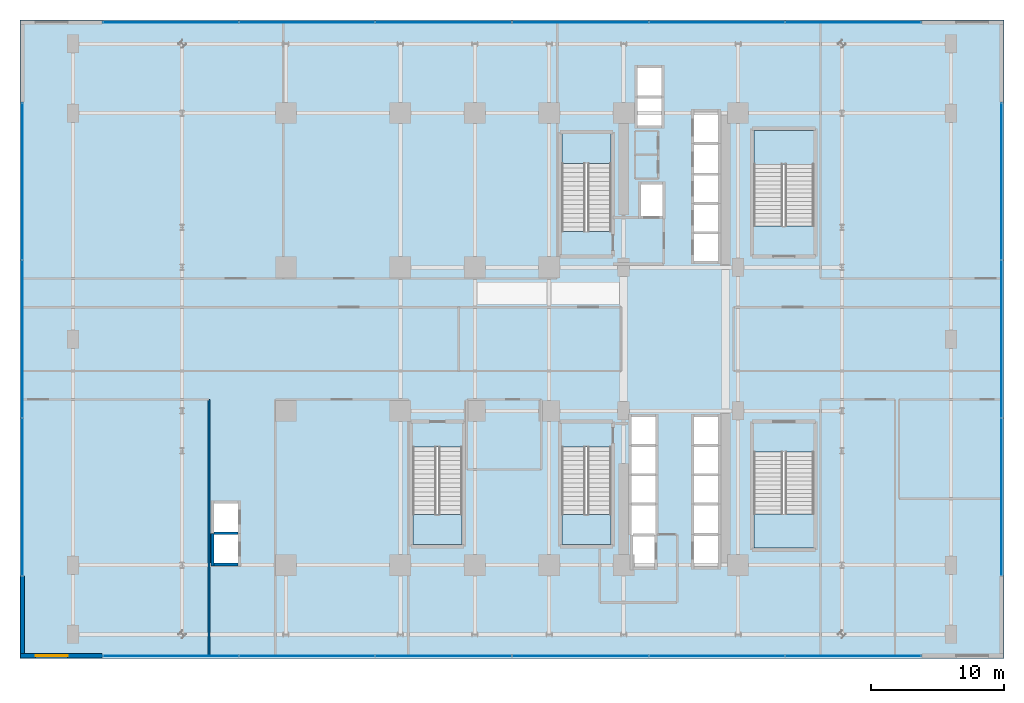
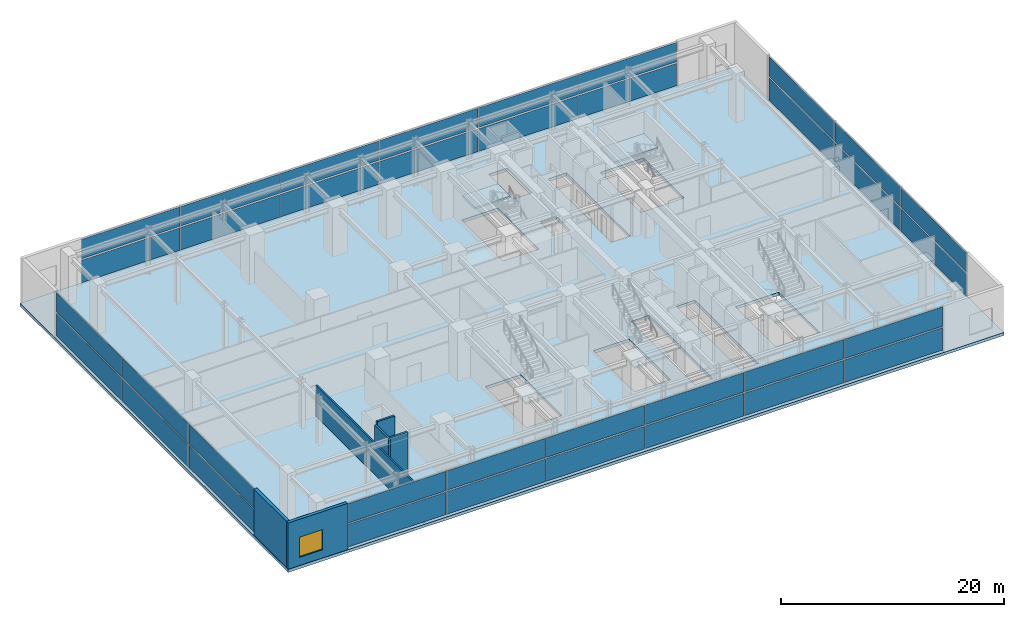
# One storey, part 26 of 32: 36 plates, 6 slabs, 6 walls, 1 window, 1 opening, 9 elements without a shape of their own.
"""IFC4 building model written with IfcOpenShell, lengths in metres."""

from ifc_helpers import new_model, si_unit, direction, frame, frame_2d, origin, origin_2d, place, context, subcontext, project, spatial, polyline, rectangle, outline, extrude, source, transform, mapped, material, layer, layer_set, type_object, element, fill, aggregate, save


model = new_model("IFC4")

# Units and contexts
model_context = context("Model", 3, precision=1e-05, world=origin(), true_north=direction((0.0, 1.0)))
body_context = subcontext(model_context, "Body", "Model", "MODEL_VIEW")
ifc_project = project(units=[si_unit("LENGTHUNIT", "METRE"), si_unit("AREAUNIT", "SQUARE_METRE"), si_unit("VOLUMEUNIT", "CUBIC_METRE"), si_unit("PLANEANGLEUNIT", "RADIAN"), si_unit("MASSUNIT", "GRAM", prefix="KILO")], contexts=[model_context])

# Site, building, storey
site_placement = place(None, origin())
site = spatial("IfcSite", under=ifc_project, at=site_placement, CompositionType="ELEMENT")
building_placement = place(site_placement, origin())
building = spatial("IfcBuilding", under=site, at=building_placement, Name="Nahalor Promenade Grand Hotel", CompositionType="ELEMENT")
storey_placement = place(building_placement, frame((0.0, 0.0, 10.800048828125)))
storey = spatial("IfcBuildingStorey", under=building, at=storey_placement, Name="L02", CompositionType="ELEMENT", Elevation=10.800048828125)

# Stair, slab
ifc_material_1 = material(Name="Concrete B-50 (C40/50)", Category="concrete")
stair_type_1 = type_object("IfcStairType", Name="Stair-ST1", PredefinedType="HALF_TURN_STAIR", material=ifc_material_1)
stair_1_placement = place(storey_placement, origin())
stair_1 = element("IfcStair", 1, at=stair_1_placement, inside=storey, type_object=stair_type_1, Name="L02 ST1", PredefinedType="HALF_TURN_STAIR")
ifc_layer_1 = layer(ifc_material_1, 0.199951171875)
ifc_layer_set_1 = layer_set([ifc_layer_1], Name="Concrete B-50 (C40/50)")
slab_type_1 = type_object("IfcSlabType", Name="Landing-ST1", PredefinedType="LANDING", material=ifc_layer_set_1)
slab_1_placement = place(storey_placement, frame((0.0, 0.0, 2.5)))
slab_1 = element("IfcSlab", 2, at=slab_1_placement, type_object=slab_type_1, Name="ST1 landing 1", PredefinedType="LANDING", context=body_context, shape_type="SweptSolid", body=[
    extrude(outline(polyline([(7.449951171875, 13.199951171875), (7.449951171875, 15.449951171875), (3.75, 15.449951171875), (3.75, 13.199951171875), (7.449951171875, 13.199951171875)])), origin(), (0.0, 0.0, 1.0), 0.199951171875),
])
aggregate(stair_1, [slab_1])

stair_type_2 = type_object("IfcStairType", Name="Stair-ST2", PredefinedType="HALF_TURN_STAIR", material=ifc_material_1)
stair_2_placement = place(storey_placement, origin())
stair_2 = element("IfcStair", 3, at=stair_2_placement, inside=storey, type_object=stair_type_2, Name="L02 ST2", PredefinedType="HALF_TURN_STAIR")
ifc_layer_2 = layer(ifc_material_1, 0.2099609375)
ifc_layer_set_2 = layer_set([ifc_layer_2], Name="Concrete B-50 (C40/50)")
slab_type_2 = type_object("IfcSlabType", Name="Landing-ST2", PredefinedType="LANDING", material=ifc_layer_set_2)
slab_2_placement = place(storey_placement, frame((0.0, 0.0, 2.489990234375)))
slab_2 = element("IfcSlab", 4, at=slab_2_placement, type_object=slab_type_2, Name="ST2 landing 1", PredefinedType="LANDING", context=body_context, shape_type="SweptSolid", body=[
    extrude(outline(polyline([(3.75, -13.199951171875), (3.75, -15.449951171875), (7.449951171875, -15.449951171875), (7.449951171875, -13.199951171875), (3.75, -13.199951171875)])), origin(), (0.0, 0.0, 1.0), 0.2099609375),
])
aggregate(stair_2, [slab_2])

stair_type_3 = type_object("IfcStairType", Name="Stair-ST3", PredefinedType="HALF_TURN_STAIR", material=ifc_material_1)
stair_3_placement = place(storey_placement, origin())
stair_3 = element("IfcStair", 5, at=stair_3_placement, inside=storey, type_object=stair_type_3, Name="L02 ST3", PredefinedType="HALF_TURN_STAIR")
ifc_layer_3 = layer(ifc_material_1, 0.219970703125)
ifc_layer_set_3 = layer_set([ifc_layer_3], Name="Concrete B-50 (C40/50)")
slab_type_3 = type_object("IfcSlabType", Name="Landing-ST3", PredefinedType="LANDING", material=ifc_layer_set_3)
slab_3_placement = place(storey_placement, frame((0.0, 0.0, 2.47998046875)))
slab_3 = element("IfcSlab", 6, at=slab_3_placement, type_object=slab_type_3, Name="ST3 landing 1", PredefinedType="LANDING", context=body_context, shape_type="SweptSolid", body=[
    extrude(outline(polyline([(-7.449951171875, -13.199951171875), (-7.449951171875, -15.449951171875), (-3.75, -15.449951171875), (-3.75, -13.199951171875), (-7.449951171875, -13.199951171875)])), origin(), (0.0, 0.0, 1.0), 0.219970703125),
])
aggregate(stair_3, [slab_3])

stair_type_4 = type_object("IfcStairType", Name="Stair-ST4", PredefinedType="HALF_TURN_STAIR", material=ifc_material_1)
stair_4_placement = place(storey_placement, origin())
stair_4 = element("IfcStair", 7, at=stair_4_placement, inside=storey, type_object=stair_type_4, Name="L02 ST4", PredefinedType="HALF_TURN_STAIR")
ifc_layer_4 = layer(ifc_material_1, 0.239990234375)
ifc_layer_set_4 = layer_set([ifc_layer_4], Name="Concrete B-50 (C40/50)")
slab_type_4 = type_object("IfcSlabType", Name="Landing-ST4", PredefinedType="LANDING", material=ifc_layer_set_4)
slab_4_placement = place(storey_placement, frame((0.0, 0.0, 2.4599609375)))
slab_4 = element("IfcSlab", 8, at=slab_4_placement, type_object=slab_type_4, Name="ST4 landing 1", PredefinedType="LANDING", context=body_context, shape_type="SweptSolid", body=[
    extrude(outline(polyline([(22.699951171875, 13.14990234375), (22.699951171875, 15.699951171875), (18.199951171875, 15.699951171875), (18.199951171875, 13.14990234375), (22.699951171875, 13.14990234375)])), origin(), (0.0, 0.0, 1.0), 0.239990234375),
])
aggregate(stair_4, [slab_4])

stair_type_5 = type_object("IfcStairType", Name="Stair-ST5", PredefinedType="HALF_TURN_STAIR", material=ifc_material_1)
stair_5_placement = place(storey_placement, origin())
stair_5 = element("IfcStair", 9, at=stair_5_placement, inside=storey, type_object=stair_type_5, Name="L02 ST5", PredefinedType="HALF_TURN_STAIR")
ifc_layer_5 = layer(ifc_material_1, 0.25)
ifc_layer_set_5 = layer_set([ifc_layer_5], Name="Concrete B-50 (C40/50)")
slab_type_5 = type_object("IfcSlabType", Name="Landing-ST5", PredefinedType="LANDING", material=ifc_layer_set_5)
slab_5_placement = place(storey_placement, frame((0.0, 0.0, 2.449951171875)))
slab_5 = element("IfcSlab", 10, at=slab_5_placement, type_object=slab_type_5, Name="ST5 landing 1", PredefinedType="LANDING", context=body_context, shape_type="SweptSolid", body=[
    extrude(outline(polyline([(18.199951171875, -13.14990234375), (18.199951171875, -15.699951171875), (22.699951171875, -15.699951171875), (22.699951171875, -13.14990234375), (18.199951171875, -13.14990234375)])), origin(), (0.0, 0.0, 1.0), 0.25),
])
aggregate(stair_5, [slab_5])

# Slab
ifc_layer_6 = layer(ifc_material_1, 0.320068359375)
ifc_layer_set_6 = layer_set([ifc_layer_6], Name="Concrete B-50 (C40/50)")
slab_type_6 = type_object("IfcSlabType", Name="Slab-Podium-320", PredefinedType="FLOOR", material=ifc_layer_set_6)
slab_6_placement = place(storey_placement, frame((0.0, 0.0, -0.320068359375)))
element("IfcSlab", 11, at=slab_6_placement, inside=storey, type_object=slab_type_6, Name="L02 Suspended Structural Floor Slab", PredefinedType="FLOOR", context=body_context, shape_type="SweptSolid", body=[
    extrude(outline(polyline([(-37.0, -24.0), (37.0, -24.0), (37.0, 24.0), (-37.0, 24.0), (-37.0, -24.0)]), holes=[polyline([(3.75, 8.10009765625), (7.449951171875, 8.10009765625), (7.449951171875, 15.449951171875), (3.75, 15.449951171875), (3.75, 8.10009765625)]), polyline([(3.75, -15.449951171875), (7.449951171875, -15.449951171875), (7.449951171875, -8.10009765625), (3.75, -8.10009765625), (3.75, -15.449951171875)]), polyline([(-7.449951171875, -15.449951171875), (-3.75, -15.449951171875), (-3.75, -8.10009765625), (-7.449951171875, -8.10009765625), (-7.449951171875, -15.449951171875)]), polyline([(18.199951171875, 8.5), (22.699951171875, 8.5), (22.699951171875, 15.699951171875), (18.199951171875, 15.699951171875), (18.199951171875, 8.5)]), polyline([(18.199951171875, -15.699951171875), (22.699951171875, -15.699951171875), (22.699951171875, -8.5), (18.199951171875, -8.5), (18.199951171875, -15.699951171875)]), polyline([(13.659912109375, 5.81005859375), (15.5400390625, 5.81005859375), (15.5400390625, 17.139892578125), (13.659912109375, 17.139892578125), (13.659912109375, 5.81005859375)]), polyline([(13.659912109375, -17.139892578125), (15.5400390625, -17.139892578125), (15.5400390625, -5.81005859375), (13.659912109375, -5.81005859375), (13.659912109375, -17.139892578125)]), polyline([(8.9599609375, -17.18994140625), (10.840087890625, -17.18994140625), (10.840087890625, -5.81005859375), (8.9599609375, -5.81005859375), (8.9599609375, -17.18994140625)]), polyline([(9.409912109375, 16.010009765625), (11.2900390625, 16.010009765625), (11.2900390625, 20.43994140625), (9.409912109375, 20.43994140625), (9.409912109375, 16.010009765625)]), polyline([(9.659912109375, 9.2099609375), (11.340087890625, 9.2099609375), (11.340087890625, 11.68994140625), (9.659912109375, 11.68994140625), (9.659912109375, 9.2099609375)]), polyline([(-22.43994140625, -16.889892578125), (-20.56005859375, -16.889892578125), (-20.56005859375, -14.7099609375), (-22.43994140625, -14.7099609375), (-22.43994140625, -16.889892578125)]), polyline([(-22.43994140625, -14.489990234375), (-20.56005859375, -14.489990234375), (-20.56005859375, -12.31005859375), (-22.43994140625, -12.31005859375), (-22.43994140625, -14.489990234375)])]), origin(), (0.0, 0.0, 1.0), 0.320068359375),
])

# Curtain wall, plates
ifc_material_2 = material(Name="Anodised Bronze Aluminium EN AW-6063 T6", Category="aluminium")
curtain_wall_type = type_object("IfcCurtainWallType", Name="CW1 Waterfront Podium Bronze Arcade Curtain Wall", PredefinedType="USERDEFINED", material=ifc_material_2)
curtain_wall_1_placement = place(storey_placement, origin())
curtain_wall_1 = element("IfcCurtainWall", 12, at=curtain_wall_1_placement, inside=storey, type_object=curtain_wall_type, Name="L02 Curtain Wall CW-L02-W", ObjectType="UNITISED_CURTAIN_WALL", PredefinedType="USERDEFINED")
ifc_material_3 = material(Name="Low-E Laminated Solar Glass", Category="glass")
ifc_layer_7 = layer(ifc_material_3, 0.031982421875)
ifc_layer_set_7 = layer_set([ifc_layer_7], Name="Low-E Laminated Solar Glass")
plate_type = type_object("IfcPlateType", Name="CWP1 Podium Solar Acoustic IGU 32mm", PredefinedType="CURTAIN_PANEL", material=ifc_layer_set_7)
shared_shape_1 = source(origin(), body_context, "Body", "SweptSolid", [
    extrude(rectangle(XDim=11.760009765625, YDim=0.031982421875, at=origin_2d()), origin(), (0.0, 0.0, 1.0), 2.4599609375),
])
plate_1_placement = place(storey_placement, frame((-36.820068359375, -11.860107421875, 0.159912109375), z_axis=(0.0, 0.0, 1.0), x_axis=(0.0, 1.0, 0.0)))
plate_1 = element("IfcPlate", 13, at=plate_1_placement, type_object=plate_type, Name="CW-L02-W Glazing Panel 0-0", PredefinedType="CURTAIN_PANEL", context=body_context, shape_type="MappedRepresentation", body=[
    mapped(shared_shape_1, transform((0.0, 0.0, 0.0), scale=1.0)),
])
plate_2_placement = place(storey_placement, frame((-36.820068359375, 11.860107421875, 0.159912109375), z_axis=(0.0, 0.0, 1.0), x_axis=(0.0, 1.0, 0.0)))
plate_2 = element("IfcPlate", 14, at=plate_2_placement, type_object=plate_type, Name="CW-L02-W Glazing Panel 2-0", PredefinedType="CURTAIN_PANEL", context=body_context, shape_type="MappedRepresentation", body=[
    mapped(shared_shape_1, transform((0.0, 0.0, 0.0), scale=1.0)),
])

curtain_wall_2_placement = place(storey_placement, origin())
curtain_wall_2 = element("IfcCurtainWall", 15, at=curtain_wall_2_placement, inside=storey, type_object=curtain_wall_type, Name="L02 Curtain Wall CW-L02-E", ObjectType="UNITISED_CURTAIN_WALL", PredefinedType="USERDEFINED")
plate_3_placement = place(storey_placement, frame((36.820068359375, -11.860107421875, 0.159912109375), z_axis=(0.0, 0.0, 1.0), x_axis=(0.0, 1.0, 0.0)))
plate_3 = element("IfcPlate", 16, at=plate_3_placement, type_object=plate_type, Name="CW-L02-E Glazing Panel 0-0", PredefinedType="CURTAIN_PANEL", context=body_context, shape_type="MappedRepresentation", body=[
    mapped(shared_shape_1, transform((0.0, 0.0, 0.0), scale=1.0)),
])
plate_4_placement = place(storey_placement, frame((36.820068359375, 11.860107421875, 0.159912109375), z_axis=(0.0, 0.0, 1.0), x_axis=(0.0, 1.0, 0.0)))
plate_4 = element("IfcPlate", 17, at=plate_4_placement, type_object=plate_type, Name="CW-L02-E Glazing Panel 2-0", PredefinedType="CURTAIN_PANEL", context=body_context, shape_type="MappedRepresentation", body=[
    mapped(shared_shape_1, transform((0.0, 0.0, 0.0), scale=1.0)),
])

# Plate
shared_shape_2 = source(origin(), body_context, "Body", "SweptSolid", [
    extrude(rectangle(XDim=11.800048828125, YDim=0.031982421875, at=origin_2d()), origin(), (0.0, 0.0, 1.0), 2.4599609375),
])
plate_5_placement = place(storey_placement, frame((-36.820068359375, 0.0, 0.159912109375), z_axis=(0.0, 0.0, 1.0), x_axis=(0.0, 1.0, 0.0)))
plate_5 = element("IfcPlate", 18, at=plate_5_placement, type_object=plate_type, Name="CW-L02-W Glazing Panel 1-0", PredefinedType="CURTAIN_PANEL", context=body_context, shape_type="MappedRepresentation", body=[
    mapped(shared_shape_2, transform((0.0, 0.0, 0.0), scale=1.0)),
])

plate_6_placement = place(storey_placement, frame((36.820068359375, 0.0, 0.159912109375), z_axis=(0.0, 0.0, 1.0), x_axis=(0.0, 1.0, 0.0)))
plate_6 = element("IfcPlate", 19, at=plate_6_placement, type_object=plate_type, Name="CW-L02-E Glazing Panel 1-0", PredefinedType="CURTAIN_PANEL", context=body_context, shape_type="MappedRepresentation", body=[
    mapped(shared_shape_2, transform((0.0, 0.0, 0.0), scale=1.0)),
])

# Curtain wall, plates
curtain_wall_3_placement = place(storey_placement, origin())
curtain_wall_3 = element("IfcCurtainWall", 20, at=curtain_wall_3_placement, inside=storey, type_object=curtain_wall_type, Name="L02 Curtain Wall CW-L02-S", ObjectType="UNITISED_CURTAIN_WALL", PredefinedType="USERDEFINED")
shared_shape_3 = source(origin(), body_context, "Body", "SweptSolid", [
    extrude(rectangle(XDim=10.1533203125, YDim=0.031982421875, at=origin_2d()), origin(), (0.0, 0.0, 1.0), 2.4599609375),
])
plate_7_placement = place(storey_placement, frame((-25.663330078125, -23.820068359375, 0.159912109375), z_axis=(0.0, 0.0, 1.0), x_axis=(1.0, 0.0, 0.0)))
plate_7 = element("IfcPlate", 21, at=plate_7_placement, type_object=plate_type, Name="CW-L02-S Glazing Panel 0-0", PredefinedType="CURTAIN_PANEL", context=body_context, shape_type="MappedRepresentation", body=[
    mapped(shared_shape_3, transform((0.0, 0.0, 0.0), scale=1.0)),
])
plate_8_placement = place(storey_placement, frame((25.663330078125, -23.820068359375, 0.159912109375), z_axis=(0.0, 0.0, 1.0), x_axis=(1.0, 0.0, 0.0)))
plate_8 = element("IfcPlate", 22, at=plate_8_placement, type_object=plate_type, Name="CW-L02-S Glazing Panel 5-0", PredefinedType="CURTAIN_PANEL", context=body_context, shape_type="MappedRepresentation", body=[
    mapped(shared_shape_3, transform((0.0, 0.0, 0.0), scale=1.0)),
])

curtain_wall_4_placement = place(storey_placement, origin())
curtain_wall_4 = element("IfcCurtainWall", 23, at=curtain_wall_4_placement, inside=storey, type_object=curtain_wall_type, Name="L02 Curtain Wall CW-L02-N", ObjectType="UNITISED_CURTAIN_WALL", PredefinedType="USERDEFINED")
plate_9_placement = place(storey_placement, frame((-25.663330078125, 23.820068359375, 0.159912109375), z_axis=(0.0, 0.0, 1.0), x_axis=(1.0, 0.0, 0.0)))
plate_9 = element("IfcPlate", 24, at=plate_9_placement, type_object=plate_type, Name="CW-L02-N Glazing Panel 0-0", PredefinedType="CURTAIN_PANEL", context=body_context, shape_type="MappedRepresentation", body=[
    mapped(shared_shape_3, transform((0.0, 0.0, 0.0), scale=1.0)),
])
plate_10_placement = place(storey_placement, frame((25.663330078125, 23.820068359375, 0.159912109375), z_axis=(0.0, 0.0, 1.0), x_axis=(1.0, 0.0, 0.0)))
plate_10 = element("IfcPlate", 25, at=plate_10_placement, type_object=plate_type, Name="CW-L02-N Glazing Panel 5-0", PredefinedType="CURTAIN_PANEL", context=body_context, shape_type="MappedRepresentation", body=[
    mapped(shared_shape_3, transform((0.0, 0.0, 0.0), scale=1.0)),
])

# Plate
shared_shape_4 = source(origin(), body_context, "Body", "SweptSolid", [
    extrude(rectangle(XDim=10.1533203125, YDim=0.031982421875, at=origin_2d()), origin(), (0.0, 0.0, 1.0), 2.1201171875),
])
plate_11_placement = place(storey_placement, frame((-25.663330078125, -23.820068359375, 2.77978515625), z_axis=(0.0, 0.0, 1.0), x_axis=(1.0, 0.0, 0.0)))
plate_11 = element("IfcPlate", 26, at=plate_11_placement, type_object=plate_type, Name="CW-L02-S Glazing Panel 0-1", PredefinedType="CURTAIN_PANEL", context=body_context, shape_type="MappedRepresentation", body=[
    mapped(shared_shape_4, transform((0.0, 0.0, 0.0), scale=1.0)),
])

plate_12_placement = place(storey_placement, frame((25.663330078125, -23.820068359375, 2.77978515625), z_axis=(0.0, 0.0, 1.0), x_axis=(1.0, 0.0, 0.0)))
plate_12 = element("IfcPlate", 27, at=plate_12_placement, type_object=plate_type, Name="CW-L02-S Glazing Panel 5-1", PredefinedType="CURTAIN_PANEL", context=body_context, shape_type="MappedRepresentation", body=[
    mapped(shared_shape_4, transform((0.0, 0.0, 0.0), scale=1.0)),
])

plate_13_placement = place(storey_placement, frame((-25.663330078125, 23.820068359375, 2.77978515625), z_axis=(0.0, 0.0, 1.0), x_axis=(1.0, 0.0, 0.0)))
plate_13 = element("IfcPlate", 28, at=plate_13_placement, type_object=plate_type, Name="CW-L02-N Glazing Panel 0-1", PredefinedType="CURTAIN_PANEL", context=body_context, shape_type="MappedRepresentation", body=[
    mapped(shared_shape_4, transform((0.0, 0.0, 0.0), scale=1.0)),
])

plate_14_placement = place(storey_placement, frame((25.663330078125, 23.820068359375, 2.77978515625), z_axis=(0.0, 0.0, 1.0), x_axis=(1.0, 0.0, 0.0)))
plate_14 = element("IfcPlate", 29, at=plate_14_placement, type_object=plate_type, Name="CW-L02-N Glazing Panel 5-1", PredefinedType="CURTAIN_PANEL", context=body_context, shape_type="MappedRepresentation", body=[
    mapped(shared_shape_4, transform((0.0, 0.0, 0.0), scale=1.0)),
])

shared_shape_5 = source(origin(), body_context, "Body", "SweptSolid", [
    extrude(rectangle(XDim=10.193359375, YDim=0.031982421875, at=origin_2d()), origin(), (0.0, 0.0, 1.0), 2.4599609375),
])
plate_15_placement = place(storey_placement, frame((-15.409912109375, -23.820068359375, 0.159912109375), z_axis=(0.0, 0.0, 1.0), x_axis=(1.0, 0.0, 0.0)))
plate_15 = element("IfcPlate", 30, at=plate_15_placement, type_object=plate_type, Name="CW-L02-S Glazing Panel 1-0", PredefinedType="CURTAIN_PANEL", context=body_context, shape_type="MappedRepresentation", body=[
    mapped(shared_shape_5, transform((0.0, 0.0, 0.0), scale=1.0)),
])

plate_16_placement = place(storey_placement, frame((-5.13671875, -23.820068359375, 0.159912109375), z_axis=(0.0, 0.0, 1.0), x_axis=(1.0, 0.0, 0.0)))
plate_16 = element("IfcPlate", 31, at=plate_16_placement, type_object=plate_type, Name="CW-L02-S Glazing Panel 2-0", PredefinedType="CURTAIN_PANEL", context=body_context, shape_type="MappedRepresentation", body=[
    mapped(shared_shape_5, transform((0.0, 0.0, 0.0), scale=1.0)),
])

plate_17_placement = place(storey_placement, frame((5.13671875, -23.820068359375, 0.159912109375), z_axis=(0.0, 0.0, 1.0), x_axis=(1.0, 0.0, 0.0)))
plate_17 = element("IfcPlate", 32, at=plate_17_placement, type_object=plate_type, Name="CW-L02-S Glazing Panel 3-0", PredefinedType="CURTAIN_PANEL", context=body_context, shape_type="MappedRepresentation", body=[
    mapped(shared_shape_5, transform((0.0, 0.0, 0.0), scale=1.0)),
])

plate_18_placement = place(storey_placement, frame((15.409912109375, -23.820068359375, 0.159912109375), z_axis=(0.0, 0.0, 1.0), x_axis=(1.0, 0.0, 0.0)))
plate_18 = element("IfcPlate", 33, at=plate_18_placement, type_object=plate_type, Name="CW-L02-S Glazing Panel 4-0", PredefinedType="CURTAIN_PANEL", context=body_context, shape_type="MappedRepresentation", body=[
    mapped(shared_shape_5, transform((0.0, 0.0, 0.0), scale=1.0)),
])

plate_19_placement = place(storey_placement, frame((-15.409912109375, 23.820068359375, 0.159912109375), z_axis=(0.0, 0.0, 1.0), x_axis=(1.0, 0.0, 0.0)))
plate_19 = element("IfcPlate", 34, at=plate_19_placement, type_object=plate_type, Name="CW-L02-N Glazing Panel 1-0", PredefinedType="CURTAIN_PANEL", context=body_context, shape_type="MappedRepresentation", body=[
    mapped(shared_shape_5, transform((0.0, 0.0, 0.0), scale=1.0)),
])

plate_20_placement = place(storey_placement, frame((-5.13671875, 23.820068359375, 0.159912109375), z_axis=(0.0, 0.0, 1.0), x_axis=(1.0, 0.0, 0.0)))
plate_20 = element("IfcPlate", 35, at=plate_20_placement, type_object=plate_type, Name="CW-L02-N Glazing Panel 2-0", PredefinedType="CURTAIN_PANEL", context=body_context, shape_type="MappedRepresentation", body=[
    mapped(shared_shape_5, transform((0.0, 0.0, 0.0), scale=1.0)),
])

plate_21_placement = place(storey_placement, frame((5.13671875, 23.820068359375, 0.159912109375), z_axis=(0.0, 0.0, 1.0), x_axis=(1.0, 0.0, 0.0)))
plate_21 = element("IfcPlate", 36, at=plate_21_placement, type_object=plate_type, Name="CW-L02-N Glazing Panel 3-0", PredefinedType="CURTAIN_PANEL", context=body_context, shape_type="MappedRepresentation", body=[
    mapped(shared_shape_5, transform((0.0, 0.0, 0.0), scale=1.0)),
])

plate_22_placement = place(storey_placement, frame((15.409912109375, 23.820068359375, 0.159912109375), z_axis=(0.0, 0.0, 1.0), x_axis=(1.0, 0.0, 0.0)))
plate_22 = element("IfcPlate", 37, at=plate_22_placement, type_object=plate_type, Name="CW-L02-N Glazing Panel 4-0", PredefinedType="CURTAIN_PANEL", context=body_context, shape_type="MappedRepresentation", body=[
    mapped(shared_shape_5, transform((0.0, 0.0, 0.0), scale=1.0)),
])

shared_shape_6 = source(origin(), body_context, "Body", "SweptSolid", [
    extrude(rectangle(XDim=10.193359375, YDim=0.031982421875, at=origin_2d()), origin(), (0.0, 0.0, 1.0), 2.1201171875),
])
plate_23_placement = place(storey_placement, frame((-15.409912109375, -23.820068359375, 2.77978515625), z_axis=(0.0, 0.0, 1.0), x_axis=(1.0, 0.0, 0.0)))
plate_23 = element("IfcPlate", 38, at=plate_23_placement, type_object=plate_type, Name="CW-L02-S Glazing Panel 1-1", PredefinedType="CURTAIN_PANEL", context=body_context, shape_type="MappedRepresentation", body=[
    mapped(shared_shape_6, transform((0.0, 0.0, 0.0), scale=1.0)),
])

plate_24_placement = place(storey_placement, frame((-5.13671875, -23.820068359375, 2.77978515625), z_axis=(0.0, 0.0, 1.0), x_axis=(1.0, 0.0, 0.0)))
plate_24 = element("IfcPlate", 39, at=plate_24_placement, type_object=plate_type, Name="CW-L02-S Glazing Panel 2-1", PredefinedType="CURTAIN_PANEL", context=body_context, shape_type="MappedRepresentation", body=[
    mapped(shared_shape_6, transform((0.0, 0.0, 0.0), scale=1.0)),
])

plate_25_placement = place(storey_placement, frame((5.13671875, -23.820068359375, 2.77978515625), z_axis=(0.0, 0.0, 1.0), x_axis=(1.0, 0.0, 0.0)))
plate_25 = element("IfcPlate", 40, at=plate_25_placement, type_object=plate_type, Name="CW-L02-S Glazing Panel 3-1", PredefinedType="CURTAIN_PANEL", context=body_context, shape_type="MappedRepresentation", body=[
    mapped(shared_shape_6, transform((0.0, 0.0, 0.0), scale=1.0)),
])

plate_26_placement = place(storey_placement, frame((15.409912109375, -23.820068359375, 2.77978515625), z_axis=(0.0, 0.0, 1.0), x_axis=(1.0, 0.0, 0.0)))
plate_26 = element("IfcPlate", 41, at=plate_26_placement, type_object=plate_type, Name="CW-L02-S Glazing Panel 4-1", PredefinedType="CURTAIN_PANEL", context=body_context, shape_type="MappedRepresentation", body=[
    mapped(shared_shape_6, transform((0.0, 0.0, 0.0), scale=1.0)),
])

aggregate(curtain_wall_3, [plate_7, plate_11, plate_15, plate_23, plate_16, plate_24, plate_17, plate_25, plate_18, plate_26, plate_8, plate_12])

plate_27_placement = place(storey_placement, frame((-15.409912109375, 23.820068359375, 2.77978515625), z_axis=(0.0, 0.0, 1.0), x_axis=(1.0, 0.0, 0.0)))
plate_27 = element("IfcPlate", 42, at=plate_27_placement, type_object=plate_type, Name="CW-L02-N Glazing Panel 1-1", PredefinedType="CURTAIN_PANEL", context=body_context, shape_type="MappedRepresentation", body=[
    mapped(shared_shape_6, transform((0.0, 0.0, 0.0), scale=1.0)),
])

plate_28_placement = place(storey_placement, frame((-5.13671875, 23.820068359375, 2.77978515625), z_axis=(0.0, 0.0, 1.0), x_axis=(1.0, 0.0, 0.0)))
plate_28 = element("IfcPlate", 43, at=plate_28_placement, type_object=plate_type, Name="CW-L02-N Glazing Panel 2-1", PredefinedType="CURTAIN_PANEL", context=body_context, shape_type="MappedRepresentation", body=[
    mapped(shared_shape_6, transform((0.0, 0.0, 0.0), scale=1.0)),
])

plate_29_placement = place(storey_placement, frame((5.13671875, 23.820068359375, 2.77978515625), z_axis=(0.0, 0.0, 1.0), x_axis=(1.0, 0.0, 0.0)))
plate_29 = element("IfcPlate", 44, at=plate_29_placement, type_object=plate_type, Name="CW-L02-N Glazing Panel 3-1", PredefinedType="CURTAIN_PANEL", context=body_context, shape_type="MappedRepresentation", body=[
    mapped(shared_shape_6, transform((0.0, 0.0, 0.0), scale=1.0)),
])

plate_30_placement = place(storey_placement, frame((15.409912109375, 23.820068359375, 2.77978515625), z_axis=(0.0, 0.0, 1.0), x_axis=(1.0, 0.0, 0.0)))
plate_30 = element("IfcPlate", 45, at=plate_30_placement, type_object=plate_type, Name="CW-L02-N Glazing Panel 4-1", PredefinedType="CURTAIN_PANEL", context=body_context, shape_type="MappedRepresentation", body=[
    mapped(shared_shape_6, transform((0.0, 0.0, 0.0), scale=1.0)),
])

aggregate(curtain_wall_4, [plate_9, plate_13, plate_19, plate_27, plate_20, plate_28, plate_21, plate_29, plate_22, plate_30, plate_10, plate_14])

shared_shape_7 = source(origin(), body_context, "Body", "SweptSolid", [
    extrude(rectangle(XDim=11.760009765625, YDim=0.031982421875, at=origin_2d()), origin(), (0.0, 0.0, 1.0), 2.1201171875),
])
plate_31_placement = place(storey_placement, frame((-36.820068359375, -11.860107421875, 2.77978515625), z_axis=(0.0, 0.0, 1.0), x_axis=(0.0, 1.0, 0.0)))
plate_31 = element("IfcPlate", 46, at=plate_31_placement, type_object=plate_type, Name="CW-L02-W Glazing Panel 0-1", PredefinedType="CURTAIN_PANEL", context=body_context, shape_type="MappedRepresentation", body=[
    mapped(shared_shape_7, transform((0.0, 0.0, 0.0), scale=1.0)),
])

plate_32_placement = place(storey_placement, frame((-36.820068359375, 11.860107421875, 2.77978515625), z_axis=(0.0, 0.0, 1.0), x_axis=(0.0, 1.0, 0.0)))
plate_32 = element("IfcPlate", 47, at=plate_32_placement, type_object=plate_type, Name="CW-L02-W Glazing Panel 2-1", PredefinedType="CURTAIN_PANEL", context=body_context, shape_type="MappedRepresentation", body=[
    mapped(shared_shape_7, transform((0.0, 0.0, 0.0), scale=1.0)),
])

plate_33_placement = place(storey_placement, frame((36.820068359375, -11.860107421875, 2.77978515625), z_axis=(0.0, 0.0, 1.0), x_axis=(0.0, 1.0, 0.0)))
plate_33 = element("IfcPlate", 48, at=plate_33_placement, type_object=plate_type, Name="CW-L02-E Glazing Panel 0-1", PredefinedType="CURTAIN_PANEL", context=body_context, shape_type="MappedRepresentation", body=[
    mapped(shared_shape_7, transform((0.0, 0.0, 0.0), scale=1.0)),
])

plate_34_placement = place(storey_placement, frame((36.820068359375, 11.860107421875, 2.77978515625), z_axis=(0.0, 0.0, 1.0), x_axis=(0.0, 1.0, 0.0)))
plate_34 = element("IfcPlate", 49, at=plate_34_placement, type_object=plate_type, Name="CW-L02-E Glazing Panel 2-1", PredefinedType="CURTAIN_PANEL", context=body_context, shape_type="MappedRepresentation", body=[
    mapped(shared_shape_7, transform((0.0, 0.0, 0.0), scale=1.0)),
])

shared_shape_8 = source(origin(), body_context, "Body", "SweptSolid", [
    extrude(rectangle(XDim=11.800048828125, YDim=0.031982421875, at=origin_2d()), origin(), (0.0, 0.0, 1.0), 2.1201171875),
])
plate_35_placement = place(storey_placement, frame((-36.820068359375, 0.0, 2.77978515625), z_axis=(0.0, 0.0, 1.0), x_axis=(0.0, 1.0, 0.0)))
plate_35 = element("IfcPlate", 50, at=plate_35_placement, type_object=plate_type, Name="CW-L02-W Glazing Panel 1-1", PredefinedType="CURTAIN_PANEL", context=body_context, shape_type="MappedRepresentation", body=[
    mapped(shared_shape_8, transform((0.0, 0.0, 0.0), scale=1.0)),
])

aggregate(curtain_wall_1, [plate_1, plate_31, plate_5, plate_35, plate_2, plate_32])

plate_36_placement = place(storey_placement, frame((36.820068359375, 0.0, 2.77978515625), z_axis=(0.0, 0.0, 1.0), x_axis=(0.0, 1.0, 0.0)))
plate_36 = element("IfcPlate", 51, at=plate_36_placement, type_object=plate_type, Name="CW-L02-E Glazing Panel 1-1", PredefinedType="CURTAIN_PANEL", context=body_context, shape_type="MappedRepresentation", body=[
    mapped(shared_shape_8, transform((0.0, 0.0, 0.0), scale=1.0)),
])

aggregate(curtain_wall_2, [plate_3, plate_33, plate_6, plate_36, plate_4, plate_34])

# Walls
ifc_layer_8 = layer(ifc_material_1, 0.219970703125)
ifc_layer_set_8 = layer_set([ifc_layer_8], Name="Concrete B-50 (C40/50)")
wall_type_1 = type_object("IfcWallType", Name="Wall-LiftShaft-220", PredefinedType="SHEAR", material=ifc_layer_set_8)
shared_shape_9 = source(origin(), body_context, "Body", "SweptSolid", [
    extrude(rectangle(XDim=1.81982421875, YDim=0.219970703125, at=frame_2d((0.909912109375, 0.0))), origin(), (0.0, 0.0, 1.0), 5.39990234375),
])
wall_1_placement = place(storey_placement, frame((-22.409912109375, -14.60009765625, 0.0), z_axis=(0.0, 0.0, 1.0), x_axis=(1.0, 0.0, 0.0)))
element("IfcWall", 52, at=wall_1_placement, inside=storey, type_object=wall_type_1, Name="L02 Lift PD1 Hoistway Wall N", PredefinedType="SHEAR", context=body_context, shape_type="MappedRepresentation", body=[
    mapped(shared_shape_9, transform((0.0, 0.0, 0.0), scale=1.0)),
])
shared_shape_10 = source(origin(), body_context, "Body", "SweptSolid", [
    extrude(rectangle(XDim=2.4599609375, YDim=0.219970703125, at=frame_2d((1.22998046875, 0.0))), origin(), (0.0, 0.0, 1.0), 5.06005859375),
])
wall_2_placement = place(storey_placement, frame((-22.52001953125, -17.06005859375, 0.0), z_axis=(0.0, 0.0, 1.0), x_axis=(0.0, 1.0, 0.0)))
element("IfcWall", 53, at=wall_2_placement, inside=storey, type_object=wall_type_1, Name="L02 Lift PD1 Hoistway Wall W", PredefinedType="SHEAR", context=body_context, shape_type="MappedRepresentation", body=[
    mapped(shared_shape_10, transform((0.0, 0.0, 0.0), scale=1.0)),
])
shared_shape_11 = source(origin(), body_context, "Body", "SweptSolid", [
    extrude(rectangle(XDim=1.81982421875, YDim=0.219970703125, at=frame_2d((0.909912109375, 0.0))), origin(), (0.0, 0.0, 1.0), 5.06005859375),
])
wall_3_placement = place(storey_placement, frame((-22.409912109375, -16.949951171875, 0.0), z_axis=(0.0, 0.0, 1.0), x_axis=(1.0, 0.0, 0.0)))
element("IfcWall", 54, at=wall_3_placement, inside=storey, type_object=wall_type_1, Name="L02 Lift PD1 Hoistway Wall S", PredefinedType="SHEAR", context=body_context, shape_type="MappedRepresentation", body=[
    mapped(shared_shape_11, transform((0.0, 0.0, 0.0), scale=1.0)),
])

# Wall, opening, window
ifc_material_4 = material(Name="Concrete B-40 (C32/40)", Category="concrete")
ifc_layer_9 = layer(ifc_material_4, 0.320068359375)
ifc_layer_set_9 = layer_set([ifc_layer_9], Name="Concrete B-40 (C32/40)")
wall_type_2 = type_object("IfcWallType", Name="Wall-LimestonePier-320", PredefinedType="STANDARD", material=ifc_layer_set_9)
shared_shape_12 = source(origin(), body_context, "Body", "SweptSolid", [
    extrude(rectangle(XDim=6.159912109375, YDim=0.320068359375, at=frame_2d((3.080078125, 0.0))), origin(), (0.0, 0.0, 1.0), 5.06005859375),
])
wall_4_placement = place(storey_placement, frame((-36.97998046875, -23.820068359375, 0.0), z_axis=(0.0, 0.0, 1.0), x_axis=(1.0, 0.0, 0.0)))
wall_4 = element("IfcWall", 55, at=wall_4_placement, inside=storey, type_object=wall_type_2, Name="W-L02-CRN-SW-X", PredefinedType="STANDARD", context=body_context, shape_type="MappedRepresentation", body=[
    mapped(shared_shape_12, transform((0.0, 0.0, 0.0), scale=1.0)),
])
opening_placement = place(wall_4_placement, frame((1.159912109375, 0.0, 0.89990234375)))
opening = element("IfcOpeningElement", 56, at=opening_placement, cuts=wall_4, Name="Opening WN-02", PredefinedType="OPENING", context=body_context, shape_type="SweptSolid", body=[
    extrude(rectangle(XDim=2.39990234375, YDim=2.199951171875, at=frame_2d((1.199951171875, 1.10009765625))), frame((0.0, 0.169921875, 0.0), z_axis=(0.0, -1.0, 0.0), x_axis=(1.0, 0.0, 0.0)), (0.0, 0.0, 1.0), 0.340087890625),
])
window_type = type_object("IfcWindowType", Name="Win-PodiumArch-2400x2200", PartitioningType="SINGLE_PANEL", PredefinedType="WINDOW", material=ifc_material_3)
shared_shape_13 = source(origin(), body_context, "Body", "SweptSolid", [
    extrude(rectangle(XDim=2.39990234375, YDim=2.199951171875, at=frame_2d((1.199951171875, 1.10009765625))), frame((0.0, 0.030029296875, 0.0), z_axis=(0.0, -1.0, 0.0), x_axis=(1.0, 0.0, 0.0)), (0.0, 0.0, 1.0), 0.06005859375),
])
window_placement = place(opening_placement, origin())
window = element("IfcWindow", 57, at=window_placement, inside=storey, type_object=window_type, Name="WN-L02-SW-X", OverallHeight=2.199951171875, OverallWidth=2.39990234375, PartitioningType="SINGLE_PANEL", PredefinedType="WINDOW", context=body_context, shape_type="MappedRepresentation", body=[
    mapped(shared_shape_13, transform((0.0, 0.0, 0.0), scale=1.0)),
])
fill(opening, window)

# Walls
shared_shape_14 = source(origin(), body_context, "Body", "SweptSolid", [
    extrude(rectangle(XDim=5.83984375, YDim=0.320068359375, at=frame_2d((2.919921875, 0.0))), origin(), (0.0, 0.0, 1.0), 5.06005859375),
])
wall_5_placement = place(storey_placement, frame((-36.820068359375, -23.659912109375, 0.0), z_axis=(0.0, 0.0, 1.0), x_axis=(0.0, 1.0, 0.0)))
element("IfcWall", 58, at=wall_5_placement, inside=storey, type_object=wall_type_2, Name="W-L02-CRN-SW-Y", PredefinedType="STANDARD", context=body_context, shape_type="MappedRepresentation", body=[
    mapped(shared_shape_14, transform((0.0, 0.0, 0.0), scale=1.0)),
])
ifc_material_5 = material(Name="Acoustic Mineral Gypsum", Category="gypsum")
ifc_layer_10 = layer(ifc_material_5, 0.159912109375)
ifc_layer_set_10 = layer_set([ifc_layer_10], Name="Acoustic Mineral Gypsum")
wall_type_3 = type_object("IfcWallType", Name="Wall-PartCorridor-160", PredefinedType="PARTITIONING", material=ifc_layer_set_10)
shared_shape_15 = source(origin(), body_context, "Body", "SweptSolid", [
    extrude(rectangle(XDim=19.2099609375, YDim=0.159912109375, at=frame_2d((9.60498046875, 0.0))), origin(), (0.0, 0.0, 1.0), 3.39990234375),
])
wall_6_placement = place(storey_placement, frame((-22.800048828125, -23.760009765625, 0.0), z_axis=(0.0, 0.0, 1.0), x_axis=(0.0, 1.0, 0.0)))
element("IfcWall", 59, at=wall_6_placement, inside=storey, type_object=wall_type_3, Name="W-L02-PR04-E", PredefinedType="PARTITIONING", context=body_context, shape_type="MappedRepresentation", body=[
    mapped(shared_shape_15, transform((0.0, 0.0, 0.0), scale=1.0)),
])

save(model, "model.ifc")
